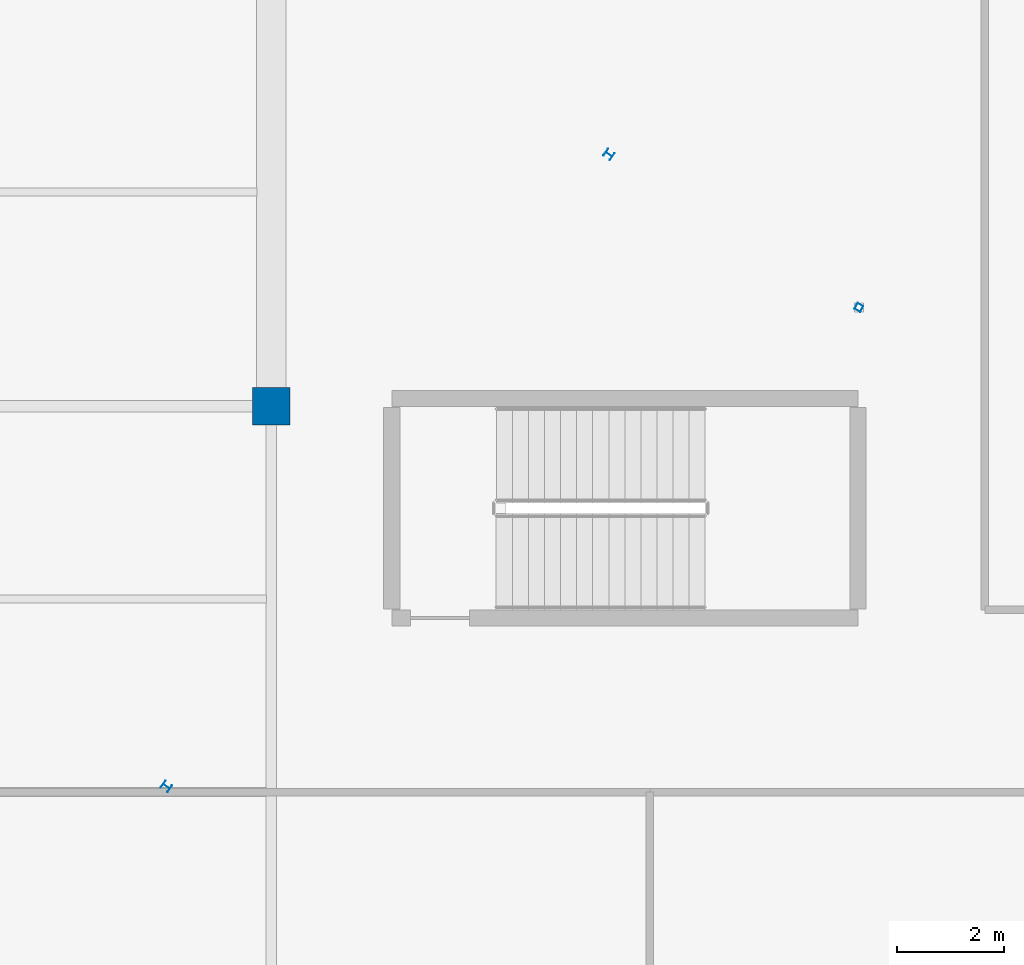
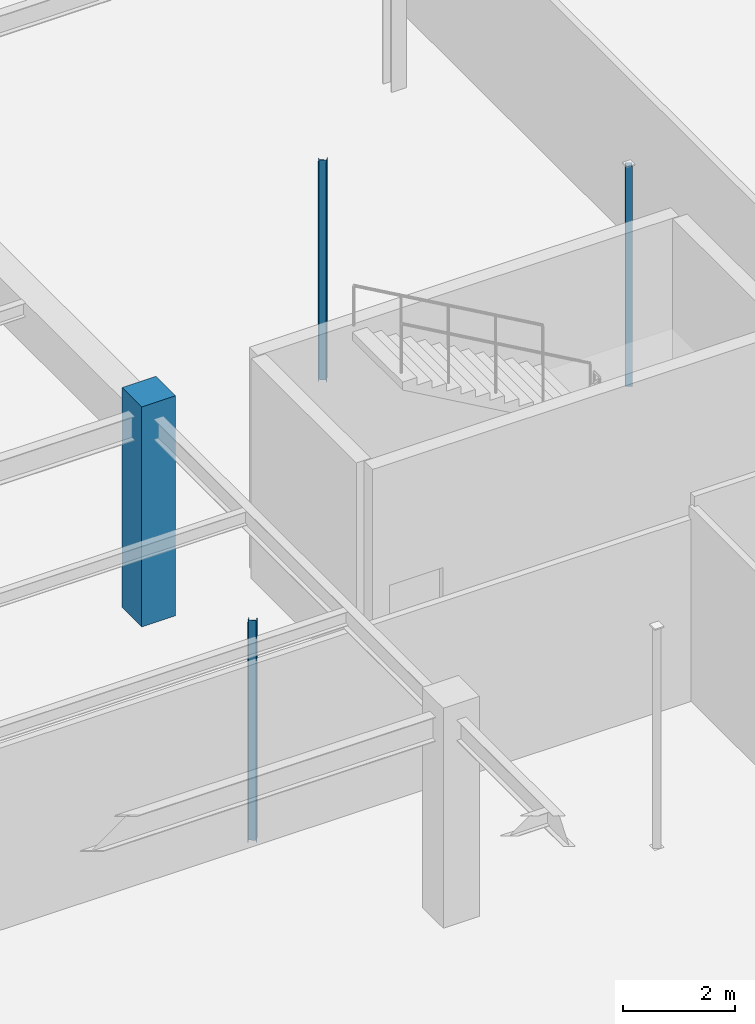
# One storey, part 11 of 199: 4 columns.
"""IFC4 building model written with IfcOpenShell, lengths in metres."""

from ifc_helpers import new_model, si_unit, direction, frame, origin, origin_2d, place, context, subcontext, project, spatial, rectangle, hollow_rectangle, i_section, extrude, material, material_profile, profile_set, type_object, element, save


model = new_model("IFC4")

# Units and contexts
model_context = context("Model", 3, precision=1e-05, world=origin(), true_north=direction((0.0, 1.0)))
body_context = subcontext(model_context, "Body", "Model", "MODEL_VIEW")
ifc_project = project(units=[si_unit("LENGTHUNIT", "METRE"), si_unit("AREAUNIT", "SQUARE_METRE"), si_unit("VOLUMEUNIT", "CUBIC_METRE"), si_unit("PLANEANGLEUNIT", "RADIAN"), si_unit("MASSUNIT", "GRAM", prefix="KILO")], contexts=[model_context])

# Site, building, storey
site_placement = place(None, origin())
site = spatial("IfcSite", under=ifc_project, at=site_placement, CompositionType="ELEMENT")
building_placement = place(site_placement, origin())
building = spatial("IfcBuilding", under=site, at=building_placement, Name="Tarnwether General Hospital", CompositionType="ELEMENT")
storey_placement = place(building_placement, origin())
storey = spatial("IfcBuildingStorey", under=building, at=storey_placement, Name="L00", CompositionType="ELEMENT", Elevation=0.0)

# Columns
ifc_material_1 = material(Name="Concrete 50 MPa", Category="concrete")
ifc_material_profile_1 = material_profile(ifc_material_1, rectangle(XDim=0.699951171875, YDim=0.699951171875, at=origin_2d()), Name="RC-COL-700x700")
ifc_profile_set_1 = profile_set([ifc_material_profile_1], Name="Concrete 50 MPa")
column_type_1 = type_object("IfcColumnType", Name="COL-18", PredefinedType="COLUMN", material=ifc_profile_set_1)
column_1_placement = place(storey_placement, frame((60.0, 21.60009765625, 0.0), z_axis=(0.0, 0.0, 1.0), x_axis=(0.0, 1.0, 0.0)))
element("IfcColumn", 1, at=column_1_placement, inside=storey, type_object=column_type_1, Name="Column COLG-L00-6000_2160", PredefinedType="COLUMN", context=body_context, shape_type="SweptSolid", body=[
    extrude(rectangle(XDim=0.699951171875, YDim=0.699951171875, at=origin_2d()), origin(), (0.0, 0.0, 1.0), 4.800048828125),
])
ifc_material_2 = material(Name="Steel Grade 350 (350 MPa)", Category="steel")
ifc_material_profile_2 = material_profile(ifc_material_2, i_section(OverallWidth=0.153076171875, OverallDepth=0.157958984375, WebThickness=0.006591796875, FlangeThickness=0.009521484375, at=origin_2d()), Name="150UC30.0")
ifc_profile_set_2 = profile_set([ifc_material_profile_2], Name="Steel Grade 350 (350 MPa)")
column_type_2 = type_object("IfcColumnType", Name="COL-31", PredefinedType="COLUMN", material=ifc_profile_set_2)
column_2_placement = place(storey_placement, frame((58.0439453125, 14.506103515625, 0.0), z_axis=(0.0, 0.0, 1.0), x_axis=(0.573576436351, 0.819152044289, 0.0)))
element("IfcColumn", 2, at=column_2_placement, inside=storey, type_object=column_type_2, Name="Column COLG-L00-5804_1451", PredefinedType="COLUMN", context=body_context, shape_type="SweptSolid", body=[
    extrude(i_section(OverallWidth=0.153076171875, OverallDepth=0.157958984375, WebThickness=0.006591796875, FlangeThickness=0.009521484375, at=origin_2d()), origin(), (0.0, 0.0, 1.0), 4.800048828125),
])
ifc_material_3 = material(Name="Steel Grade 350 (350 MPa)", Category="steel")
ifc_material_profile_3 = material_profile(ifc_material_3, i_section(OverallWidth=0.152099609375, OverallDepth=0.152099609375, WebThickness=0.006103515625, FlangeThickness=0.0068359375, at=origin_2d()), Name="150UC23.4")
ifc_profile_set_3 = profile_set([ifc_material_profile_3], Name="Steel Grade 350 (350 MPa)")
column_type_3 = type_object("IfcColumnType", Name="COL-32", PredefinedType="COLUMN", material=ifc_profile_set_3)
column_3_placement = place(storey_placement, frame((66.303955078125, 26.302001953125, 0.0), z_axis=(0.0, 0.0, 1.0), x_axis=(0.573576436351, 0.819152044289, 0.0)))
element("IfcColumn", 3, at=column_3_placement, inside=storey, type_object=column_type_3, Name="Column COLG-L00-6630_2630", PredefinedType="COLUMN", context=body_context, shape_type="SweptSolid", body=[
    extrude(i_section(OverallWidth=0.152099609375, OverallDepth=0.152099609375, WebThickness=0.006103515625, FlangeThickness=0.0068359375, at=origin_2d()), origin(), (0.0, 0.0, 1.0), 4.800048828125),
])
ifc_material_4 = material(Name="Steel Grade C350L0 (350 MPa)", Category="steel")
ifc_material_profile_4 = material_profile(ifc_material_4, hollow_rectangle(XDim=0.125, YDim=0.125, WallThickness=0.006103515625, at=origin_2d()), Name="SHS125x125x6")
ifc_profile_set_4 = profile_set([ifc_material_profile_4], Name="Steel Grade C350L0 (350 MPa)")
column_type_4 = type_object("IfcColumnType", Name="COL-34", PredefinedType="COLUMN", material=ifc_profile_set_4)
column_4_placement = place(storey_placement, frame((70.968017578125, 23.444091796875, 0.0), z_axis=(0.0, 0.0, 1.0), x_axis=(0.469471562786, 0.882947592859, 0.0)))
element("IfcColumn", 4, at=column_4_placement, inside=storey, type_object=column_type_4, Name="Column COLG-L00-7097_2344", PredefinedType="COLUMN", context=body_context, shape_type="SweptSolid", body=[
    extrude(hollow_rectangle(XDim=0.125, YDim=0.125, WallThickness=0.006103515625, at=origin_2d()), origin(), (0.0, 0.0, 1.0), 4.800048828125),
])

save(model, "model.ifc")
